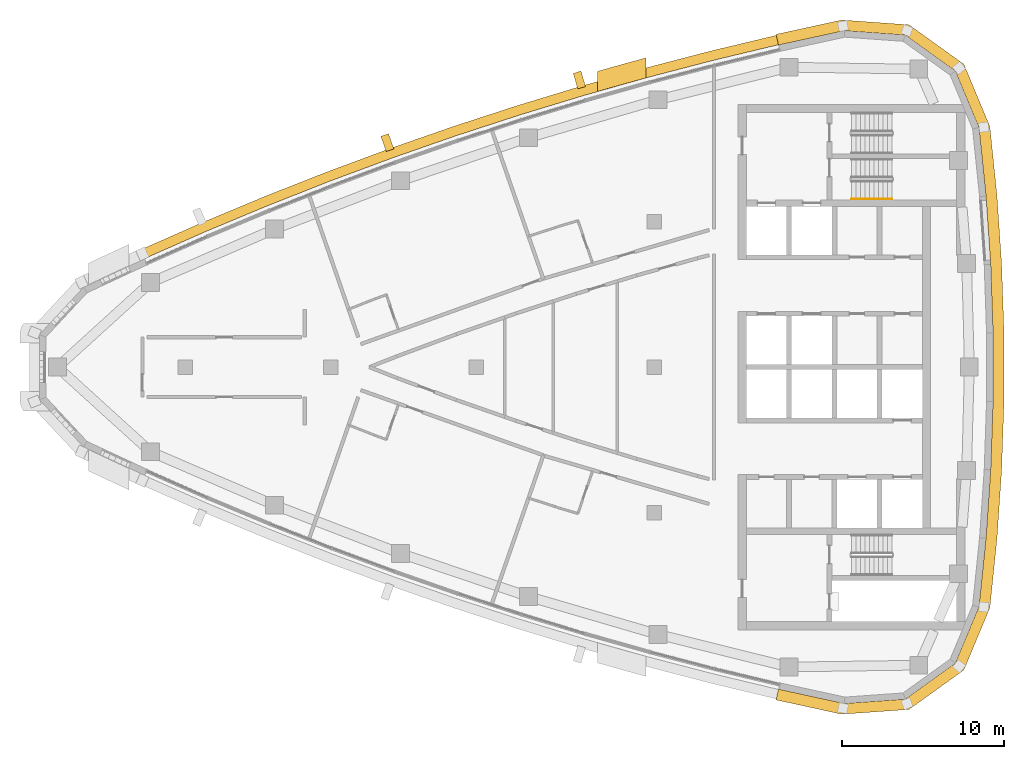
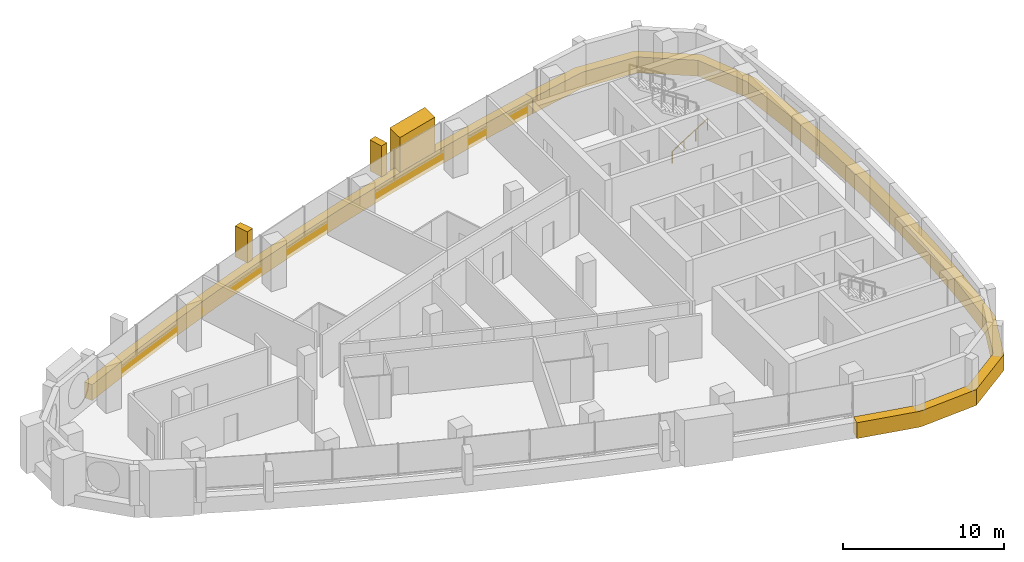
# One storey, part 12 of 13: 5 coverings, 1 railing.
"""IFC4 building model written with IfcOpenShell, lengths in metres."""

import ifcopenshell
import ifcopenshell.guid

model = None  # the IFC model being written
_history = None  # IfcOwnerHistory: only IFC2X3 demands one
_inside = {}  # id of a spatial element -> (the spatial element, [elements in it])
_under = {}  # id of a project, library or spatial element -> (it, [spatial elements below it])
_declared = {}  # id of a project -> (the project, [libraries it declares])
_typed = {}  # id of a type object -> (the type object, [elements of that type])
_made_of = {}  # id of a material, layer set ... -> (it, [elements and type objects made of it])


def new_model(schema):
    """Start an empty IFC model of exactly this schema.

    Asked for "IFC4X3", IfcOpenShell would pick the latest addendum, in which some entities
    have other attributes; the version numbers below select the first issue.
    IFC2X3 requires an IfcOwnerHistory on every rooted entity: one is made here for all.
    """
    global model, _history
    if schema == "IFC4X3":
        model = ifcopenshell.file(schema_version=(4, 3, 0, 0))
    else:
        model = ifcopenshell.file(schema=schema)
    _inside.clear()
    _under.clear()
    _declared.clear()
    _typed.clear()
    _made_of.clear()
    _history = None
    if model.schema == "IFC2X3":
        org = make("IfcOrganization", Name="unknown")
        user = make(
            "IfcPersonAndOrganization",
            ThePerson=make("IfcPerson", FamilyName="unknown"),
            TheOrganization=org,
        )
        app = make(
            "IfcApplication",
            ApplicationDeveloper=org,
            Version="unknown",
            ApplicationFullName="unknown",
            ApplicationIdentifier="unknown",
        )
        _history = make(
            "IfcOwnerHistory",
            OwningUser=user,
            OwningApplication=app,
            ChangeAction="ADDED",
            CreationDate=0,
        )
    return model


def make(cls, **values):
    """One entity of the class cls with the attributes given. An attribute that is None is left unset."""
    return model.create_entity(
        cls, **{name: value for name, value in values.items() if value is not None}
    )


def rooted(cls, **values):
    """An entity with a GlobalId (a new one), such as an element, a storey or a relation."""
    return make(cls, GlobalId=ifcopenshell.guid.new(), OwnerHistory=_history, **values)


def si_unit(unit_type, name, prefix=None):
    """IfcSIUnit, for example si_unit("LENGTHUNIT", "METRE", prefix="MILLI")."""
    return make("IfcSIUnit", UnitType=unit_type, Prefix=prefix, Name=name)


def assignment(units):
    """IfcUnitAssignment: the units of a project."""
    return None if units is None else make("IfcUnitAssignment", Units=units)


def point(xyz):
    """IfcCartesianPoint."""
    return None if xyz is None else make("IfcCartesianPoint", Coordinates=xyz)


def direction(xyz):
    """IfcDirection."""
    return None if xyz is None else make("IfcDirection", DirectionRatios=xyz)


def frame(location, z_axis=None, x_axis=None):
    """IfcAxis2Placement3D, a coordinate frame: its origin and axes. An axis left out is left unset."""
    return make(
        "IfcAxis2Placement3D",
        Location=point(location),
        Axis=direction(z_axis),
        RefDirection=direction(x_axis),
    )


def frame_2d(location, x_axis=None):
    """IfcAxis2Placement2D, a coordinate frame in the plane: its origin and x axis."""
    return make(
        "IfcAxis2Placement2D", Location=point(location), RefDirection=direction(x_axis)
    )


def origin():
    """The frame at (0, 0, 0) with its axes left unset."""
    return frame((0.0, 0.0, 0.0))


def origin_2d():
    """The frame at (0, 0) in the plane with its x axis left unset."""
    return frame_2d((0.0, 0.0))


def place(relative_to, where):
    """IfcLocalPlacement: puts the frame where relative to a parent placement (None: the world)."""
    return make(
        "IfcLocalPlacement", PlacementRelTo=relative_to, RelativePlacement=where
    )


def context(
    kind, dimensions, precision=None, world=None, true_north=None, identifier=None
):
    """IfcGeometricRepresentationContext, for example the 3D "Model" context."""
    return make(
        "IfcGeometricRepresentationContext",
        ContextIdentifier=identifier,
        ContextType=kind,
        CoordinateSpaceDimension=dimensions,
        Precision=precision,
        WorldCoordinateSystem=world,
        TrueNorth=true_north,
    )


def subcontext(parent, identifier, kind, view, scale=None):
    """IfcGeometricRepresentationSubContext, for example "Body" below "Model"."""
    return make(
        "IfcGeometricRepresentationSubContext",
        ContextIdentifier=identifier,
        ContextType=kind,
        ParentContext=parent,
        TargetScale=scale,
        TargetView=view,
    )


def project(units=None, contexts=None):
    """IfcProject with its units and contexts."""
    return rooted(
        "IfcProject",
        Name="project",
        RepresentationContexts=contexts,
        UnitsInContext=assignment(units),
    )


def spatial(cls, under=None, at=None, **own):
    """A site, building, storey or space (cls), placed at a placement, below another one or the project."""
    s = rooted(cls, ObjectPlacement=at, **own)
    if under is not None:
        _under.setdefault(under.id(), (under, []))[1].append(s)
    return s


def polyline(points):
    """IfcPolyline through the points."""
    return make("IfcPolyline", Points=[point(p) for p in points])


def profile(cls, at=None, kind="AREA", **sizes):
    """A parametric profile (cls). Its sizes go by their IFC names, for example OverallWidth=200.0."""
    return make(cls, ProfileType=kind, Position=at, **sizes)


def rectangle(**sizes):
    """IfcRectangleProfileDef."""
    return profile("IfcRectangleProfileDef", **sizes)


def circle(**sizes):
    """IfcCircleProfileDef."""
    return profile("IfcCircleProfileDef", **sizes)


def outline(outer, holes=None, kind="AREA"):
    """IfcArbitraryClosedProfileDef: a profile drawn as a closed curve; with holes, ...WithVoids."""
    if holes is None:
        return make("IfcArbitraryClosedProfileDef", ProfileType=kind, OuterCurve=outer)
    return make(
        "IfcArbitraryProfileDefWithVoids",
        ProfileType=kind,
        OuterCurve=outer,
        InnerCurves=holes,
    )


def extrude(swept, where, along, depth):
    """IfcExtrudedAreaSolid: the profile swept, set in the frame where, extruded along a direction by depth."""
    return make(
        "IfcExtrudedAreaSolid",
        SweptArea=swept,
        Position=where,
        ExtrudedDirection=direction(along),
        Depth=depth,
    )


def shape(context_of_items, identifier, shape_type, items):
    """IfcShapeRepresentation: the items that make up one representation, for example the "Body"."""
    return make(
        "IfcShapeRepresentation",
        ContextOfItems=context_of_items,
        RepresentationIdentifier=identifier,
        RepresentationType=shape_type,
        Items=items,
    )


def material(Name=None, Category=None):
    """IfcMaterial."""
    return make("IfcMaterial", Name=Name, Category=Category)


def layer(
    of_material, thickness, ventilated=None, Name=None, Category=None, Priority=None
):
    """IfcMaterialLayer: one layer of a wall or slab, of a material (None: an air gap)."""
    return make(
        "IfcMaterialLayer",
        Material=of_material,
        LayerThickness=thickness,
        IsVentilated=ventilated,
        Name=Name,
        Category=Category,
        Priority=Priority,
    )


def layer_set(layers, Name=None):
    """IfcMaterialLayerSet."""
    return make("IfcMaterialLayerSet", MaterialLayers=layers, LayerSetName=Name)


def made_of(thing, what):
    """Note that an element or type object is made of a material, layer set ...; save() writes the relation."""
    if what is not None:
        _made_of.setdefault(what.id(), (what, []))[1].append(thing)
    return thing


def type_object(cls, material=None, **own):
    """A type object (cls), such as IfcWallType, which elements share."""
    return made_of(rooted(cls, **own), material)


def element(
    cls,
    number,
    at=None,
    inside=None,
    cuts=None,
    type_object=None,
    material=None,
    context=None,
    identifier="Body",
    shape_type=None,
    held_by="IfcProductDefinitionShape",
    body=None,
    shapes=None,
    **own,
):
    """One element of the class cls, such as IfcWall. Its Tag is "e" and its number.

    at: its placement. inside: the storey or other place that contains it. cuts: it is an
    opening in that element (IfcRelVoidsElement). A single representation is given by context,
    identifier, shape_type and body (its items); several are given by shapes. held_by: the class
    of the entity that holds the representations. save() writes the other relations.
    """
    e = rooted(cls, Tag="e%d" % number, ObjectPlacement=at, **own)
    if body is not None:
        shapes = [shape(context, identifier, shape_type, body)]
    if shapes is not None:
        e.Representation = make(held_by, Representations=shapes)
    if inside is not None:
        _inside.setdefault(inside.id(), (inside, []))[1].append(e)
    if cuts is not None:
        rooted(
            "IfcRelVoidsElement", RelatingBuildingElement=cuts, RelatedOpeningElement=e
        )
    if type_object is not None:
        _typed.setdefault(type_object.id(), (type_object, []))[1].append(e)
    return made_of(e, material)


def aggregate(whole, parts):
    """IfcRelAggregates: a whole, such as a stair, and the parts it consists of."""
    return rooted("IfcRelAggregates", RelatingObject=whole, RelatedObjects=parts)


def save(model, path):
    """Write the relations noted so far, then the file.

    IfcRelAggregates (storeys below a building ...), IfcRelContainedInSpatialStructure (elements
    in a storey), IfcRelDefinesByType, IfcRelAssociatesMaterial and IfcRelDeclares: one each for
    every whole, place, type object, material and project.
    """
    for whole, parts in _under.values():
        aggregate(whole, parts)
    for where, things in _inside.values():
        rooted(
            "IfcRelContainedInSpatialStructure",
            RelatedElements=things,
            RelatingStructure=where,
        )
    for kind, things in _typed.values():
        rooted("IfcRelDefinesByType", RelatedObjects=things, RelatingType=kind)
    for what, things in _made_of.values():
        rooted("IfcRelAssociatesMaterial", RelatedObjects=things, RelatingMaterial=what)
    for by, libraries in _declared.values():
        rooted("IfcRelDeclares", RelatingContext=by, RelatedDefinitions=libraries)
    model.write(path)


model = new_model("IFC4")

# Units and contexts
model_context = context("Model", 3, precision=1e-05, world=origin(), true_north=direction((0.0, 1.0)))
body_context = subcontext(model_context, "Body", "Model", "MODEL_VIEW")
ifc_project = project(units=[si_unit("LENGTHUNIT", "METRE"), si_unit("AREAUNIT", "SQUARE_METRE"), si_unit("VOLUMEUNIT", "CUBIC_METRE"), si_unit("PLANEANGLEUNIT", "RADIAN"), si_unit("MASSUNIT", "GRAM", prefix="KILO")], contexts=[model_context])

# Site, building, storey
site_placement = place(None, origin())
site = spatial("IfcSite", under=ifc_project, at=site_placement, CompositionType="ELEMENT")
building_placement = place(site_placement, origin())
building = spatial("IfcBuilding", under=site, at=building_placement, Name="Ostrand Prow Hotel Tower", CompositionType="ELEMENT")
storey_placement = place(building_placement, frame((0.0, 0.0, 282.10009765625)))
storey = spatial("IfcBuildingStorey", under=building, at=storey_placement, Name="L71", CompositionType="ELEMENT", Elevation=282.10009765625)

# Coverings
ifc_material_1 = material(Name="Bronze anodised aluminium cladding", Category="aluminium")
ifc_layer_1 = layer(ifc_material_1, 0.60009765625)
ifc_layer_set_1 = layer_set([ifc_layer_1], Name="Bronze anodised aluminium cladding")
covering_type_1 = type_object("IfcCoveringType", Name="Bronze spandrel band 1200x600", PredefinedType="CLADDING", material=ifc_layer_set_1)
covering_1_placement = place(storey_placement, frame((0.0, 0.0, -0.300048828125)))
element("IfcCovering", 1, at=covering_1_placement, inside=storey, type_object=covering_type_1, Name="Spandrel band N1", PredefinedType="CLADDING", context=body_context, shape_type="SweptSolid", body=[
    extrude(outline(polyline([(52.55615234375, 20.52880859375), (48.51220703125, 19.56103515625), (44.48828125, 18.51220703125), (40.486328125, 17.382568359375), (36.508056640625, 16.172607421875), (32.5546875, 14.88330078125), (28.62841796875, 13.514404296875), (24.72998046875, 12.067138671875), (20.86181640625, 10.541748046875), (17.02490234375, 8.938720703125), (13.220947265625, 7.25927734375), (13.468994140625, 6.712890625), (17.26171875, 8.3876953125), (21.08740234375, 9.98583984375), (24.944580078125, 11.5068359375), (28.83154296875, 12.949951171875), (32.74658203125, 14.314697265625), (36.6884765625, 15.6005859375), (40.6552734375, 16.806884765625), (44.6455078125, 17.93310546875), (48.65771484375, 18.97900390625), (52.68994140625, 19.94384765625), (52.55615234375, 20.52880859375)])), origin(), (0.0, 0.0, 1.0), 1.199951171875),
])
covering_2_placement = place(storey_placement, frame((0.0, 0.0, -0.300048828125)))
element("IfcCovering", 2, at=covering_2_placement, inside=storey, type_object=covering_type_1, Name="Spandrel band back 1", PredefinedType="CLADDING", context=body_context, shape_type="SweptSolid", body=[
    extrude(outline(polyline([(52.542236328125, -20.58984375), (56.606201171875, -21.476318359375), (60.771728515625, -21.17919921875), (64.162841796875, -18.741455078125), (65.77197265625, -14.887451171875), (66.2080078125, -10.646240234375), (66.498779296875, -6.392822265625), (66.644287109375, -2.131591796875), (66.644287109375, 2.131591796875), (66.498779296875, 6.392822265625), (66.2080078125, 10.646240234375), (65.77197265625, 14.887451171875), (64.162841796875, 18.741455078125), (60.771728515625, 21.17919921875), (56.606201171875, 21.476318359375), (52.542236328125, 20.58984375), (52.69384765625, 19.927001953125), (56.744384765625, 20.810546875), (60.540283203125, 20.539794921875), (63.630615234375, 18.318359375), (65.0966796875, 14.806396484375), (65.530517578125, 10.58837890625), (65.819580078125, 6.35791015625), (65.964599609375, 2.1201171875), (65.964599609375, -2.1201171875), (65.819580078125, -6.35791015625), (65.530517578125, -10.58837890625), (65.0966796875, -14.806396484375), (63.630615234375, -18.318359375), (60.540283203125, -20.539794921875), (56.744384765625, -20.810546875), (52.69384765625, -19.927001953125), (52.542236328125, -20.58984375)])), origin(), (0.0, 0.0, 1.0), 1.199951171875),
])
ifc_material_2 = material(Name="Limestone cladding", Category="masonry")
ifc_layer_2 = layer(ifc_material_2, 5.0)
ifc_layer_set_2 = layer_set([ifc_layer_2], Name="Limestone cladding")
covering_type_2 = type_object("IfcCoveringType", Name="Portal jamb pilaster limestone", PredefinedType="CLADDING", material=ifc_layer_set_2)
covering_3_placement = place(storey_placement, origin())
element("IfcCovering", 3, at=covering_3_placement, inside=storey, type_object=covering_type_2, Name="Portal jamb NB L71", PredefinedType="CLADDING", context=body_context, shape_type="SweptSolid", body=[
    extrude(outline(polyline([(41.5, 17.052490234375), (42.5, 17.338134765625), (43.5, 17.61865234375), (44.5, 17.8935546875), (44.5, 19.136962890625), (43.5, 18.86376953125), (42.5, 18.585205078125), (41.5, 18.301025390625), (41.5, 17.052490234375)])), origin(), (0.0, 0.0, 1.0), 3.5498046875),
])
ifc_material_3 = material(Name="Limestone cladding", Category="masonry")
ifc_layer_3 = layer(ifc_material_3, 0.5)
ifc_layer_set_3 = layer_set([ifc_layer_3], Name="Limestone cladding")
covering_type_3 = type_object("IfcCoveringType", Name="Precast stone fin 500x900", PredefinedType="CLADDING", material=ifc_layer_set_3)
covering_4_placement = place(storey_placement, frame((40.5146484375, 17.28662109375, 0.89990234375), z_axis=(0.0, 0.0, 1.0), x_axis=(-0.281293696661, 0.959621725587, 0.0)))
element("IfcCovering", 4, at=covering_4_placement, inside=storey, type_object=covering_type_3, Name="Stone fin N 4", PredefinedType="CLADDING", context=body_context, shape_type="SweptSolid", body=[
    extrude(rectangle(XDim=0.999755859375, YDim=0.5, at=frame_2d((0.5, 0.0))), origin(), (0.0, 0.0, 1.0), 2.35009765625),
])
covering_5_placement = place(storey_placement, frame((28.662109375, 13.42041015625, 0.89990234375), z_axis=(0.0, 0.0, 1.0), x_axis=(-0.338624368902, 0.940921642213, 0.0)))
element("IfcCovering", 5, at=covering_5_placement, inside=storey, type_object=covering_type_3, Name="Stone fin N 7", PredefinedType="CLADDING", context=body_context, shape_type="SweptSolid", body=[
    extrude(rectangle(XDim=1.0, YDim=0.5, at=frame_2d((0.5, 0.0))), origin(), (0.0, 0.0, 1.0), 2.35009765625),
])

# Railing
ifc_material_4 = material(Name="Stainless steel", Category="steel")
railing_type = type_object("IfcRailingType", Name="Stair handrail 900", PredefinedType="HANDRAIL", material=ifc_material_4)
railing_placement = place(storey_placement, frame((57.199951171875, 10.39990234375, 0.177490234375)))
element("IfcRailing", 6, at=railing_placement, inside=storey, type_object=railing_type, Name="L71 ST1C stair handrail 1", PredefinedType="HANDRAIL", context=body_context, shape_type="SweptSolid", body=[
    extrude(circle(Radius=0.02392578125, at=origin_2d()), frame((0.0, 0.0, 0.8759765625), z_axis=(0.84460694969, 0.0, 0.535386869969), x_axis=(0.0, 1.0, 0.0)), (0.0, 0.0, 1.0), 2.983642578125),
    extrude(circle(Radius=0.02099609375, at=origin_2d()), origin(), (0.0, 0.0, 1.0), 0.851806640625),
    extrude(circle(Radius=0.02099609375, at=origin_2d()), frame((0.840087890625, 0.0, 0.532470703125)), (0.0, 0.0, 1.0), 0.851806640625),
    extrude(circle(Radius=0.02099609375, at=origin_2d()), frame((1.679931640625, 0.0, 1.06494140625)), (0.0, 0.0, 1.0), 0.851806640625),
    extrude(circle(Radius=0.02099609375, at=origin_2d()), frame((2.52001953125, 0.0, 1.597412109375)), (0.0, 0.0, 1.0), 0.851806640625),
])

save(model, "model.ifc")
